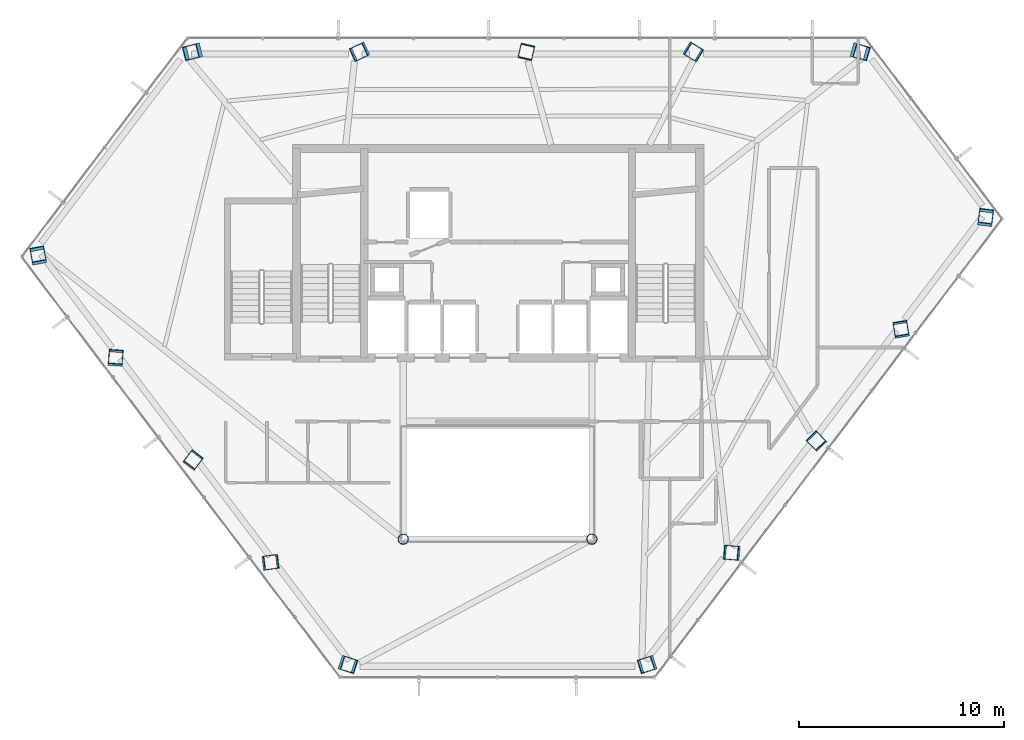
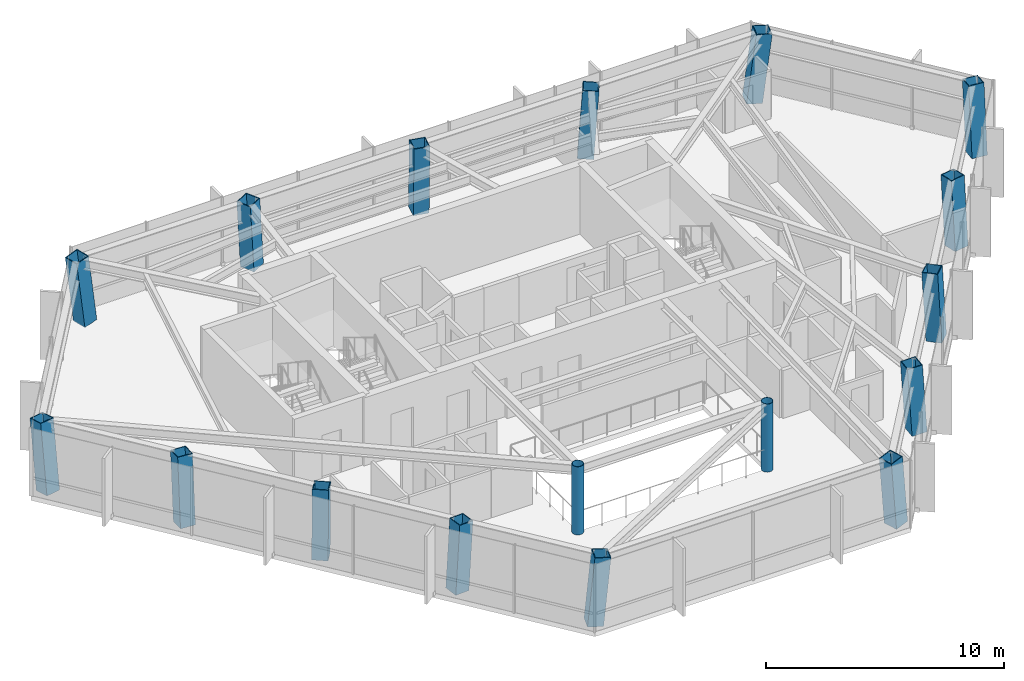
# One storey, part 1 of 27: 17 columns.
"""IFC4 building model written with IfcOpenShell, lengths in metres."""

from ifc_helpers import new_model, si_unit, direction, frame, origin, origin_2d, place, context, subcontext, project, spatial, hollow_rectangle, hollow_circle, extrude, material, material_profile, profile_set, type_object, element, save


model = new_model("IFC4")

# Units and contexts
model_context = context("Model", 3, precision=1e-05, world=origin(), true_north=direction((0.0, 1.0)))
body_context = subcontext(model_context, "Body", "Model", "MODEL_VIEW")
ifc_project = project(units=[si_unit("LENGTHUNIT", "METRE"), si_unit("AREAUNIT", "SQUARE_METRE"), si_unit("VOLUMEUNIT", "CUBIC_METRE"), si_unit("PLANEANGLEUNIT", "RADIAN"), si_unit("MASSUNIT", "GRAM", prefix="KILO")], contexts=[model_context])

# Site, building, storey
site_placement = place(None, origin())
site = spatial("IfcSite", under=ifc_project, at=site_placement, CompositionType="ELEMENT")
building_placement = place(site_placement, origin())
building = spatial("IfcBuilding", under=site, at=building_placement, Name="Zarrinselat Tower", CompositionType="ELEMENT")
storey_placement = place(building_placement, frame((0.0, 0.0, 172.0400390625)))
storey = spatial("IfcBuildingStorey", under=building, at=storey_placement, Name="L42", CompositionType="ELEMENT", Elevation=172.0400390625)

# Columns
ifc_material_1 = material(Name="Steel S355J2", Category="steel")
ifc_material_profile_1 = material_profile(ifc_material_1, hollow_circle(Radius=0.25390625, WallThickness=0.02001953125, at=origin_2d()), Name="CHS 508x20")
ifc_profile_set_1 = profile_set([ifc_material_profile_1], Name="Steel S355J2")
column_type_1 = type_object("IfcColumnType", Name="COL-CHS508", PredefinedType="COLUMN", material=ifc_profile_set_1)
for number, where, z_axis, x_axis, name in (
    (1, (33.800048828125, 24.39990234375, 0.0), (0.0, 0.0, 1.0), (1.0, 0.0, 0.0), "L42 Atrium Corner Column 1"),
    (2, (43.0, 24.39990234375, 0.0), (0.0, 0.0, 1.0), (1.0, 0.0, 0.0), "L42 Atrium Corner Column 2"),
):
    element("IfcColumn", number, at=place(storey_placement, frame(where, z_axis=z_axis, x_axis=x_axis)), inside=storey, type_object=column_type_1, Name=name, PredefinedType="COLUMN", context=body_context, shape_type="SweptSolid", body=[
        extrude(hollow_circle(Radius=0.25390625, WallThickness=0.02001953125, at=origin_2d()), origin(), (0.0, 0.0, 1.0), 3.5),
    ])
ifc_material_2 = material(Name="Steel S355J2", Category="steel")
ifc_material_profile_2 = material_profile(ifc_material_2, hollow_rectangle(XDim=0.699951171875, YDim=0.699951171875, WallThickness=0.034912109375, at=origin_2d()), Name="SHS 700x700x35")
ifc_profile_set_2 = profile_set([ifc_material_profile_2], Name="Steel S355J2")
column_type_2 = type_object("IfcColumnType", Name="COL-SHS700", PredefinedType="COLUMN", material=ifc_profile_set_2)
column_1_placement = place(storey_placement, frame((56.023681640625, 48.18896484375, 0.0), z_axis=(0.116873652995, -0.03309573823, 0.992595195106), x_axis=(0.272461864027, 0.962166582589, 0.0)))
element("IfcColumn", 3, at=column_1_placement, inside=storey, type_object=column_type_2, Name="L42 Framed-Tube Column T01", PredefinedType="COLUMN", context=body_context, shape_type="SweptSolid", body=[
    extrude(hollow_rectangle(XDim=0.699951171875, YDim=0.699951171875, WallThickness=0.034912109375, at=origin_2d()), origin(), (0.0, 0.0, 1.0), 3.526123046875),
])
column_2_placement = place(storey_placement, frame((47.91748046875, 48.18896484375, 0.0), z_axis=(0.05492268, -0.033273816274, 0.997936046234), x_axis=(0.51815756212, 0.855285180988, 0.0)))
element("IfcColumn", 4, at=column_2_placement, inside=storey, type_object=column_type_2, Name="L42 Framed-Tube Column T02", PredefinedType="COLUMN", context=body_context, shape_type="SweptSolid", body=[
    extrude(hollow_rectangle(XDim=0.699951171875, YDim=0.699951171875, WallThickness=0.034912109375, at=origin_2d()), origin(), (0.0, 0.0, 1.0), 3.50732421875),
])
column_3_placement = place(storey_placement, frame((39.81103515625, 48.18896484375, 0.0), z_axis=(-0.007598794357, -0.033323153235, 0.999415742213), x_axis=(0.974972310681, -0.222326321892, 0.0)))
element("IfcColumn", 5, at=column_3_placement, inside=storey, type_object=column_type_2, Name="L42 Framed-Tube Column T03", PredefinedType="COLUMN", context=body_context, shape_type="SweptSolid", body=[
    extrude(hollow_rectangle(XDim=0.699951171875, YDim=0.699951171875, WallThickness=0.034912109375, at=origin_2d()), origin(), (0.0, 0.0, 1.0), 3.501953125),
])
column_4_placement = place(storey_placement, frame((31.70458984375, 48.18896484375, 0.0), z_axis=(-0.070100570587, -0.033242135655, 0.996985892789), x_axis=(0.428471629337, -0.903555235087, 0.0)))
element("IfcColumn", 6, at=column_4_placement, inside=storey, type_object=column_type_2, Name="L42 Framed-Tube Column T04", PredefinedType="COLUMN", context=body_context, shape_type="SweptSolid", body=[
    extrude(hollow_rectangle(XDim=0.699951171875, YDim=0.699951171875, WallThickness=0.034912109375, at=origin_2d()), origin(), (0.0, 0.0, 1.0), 3.510498046875),
])
column_5_placement = place(storey_placement, frame((23.598388671875, 48.18896484375, 0.0), z_axis=(-0.131788296024, -0.033033458573, 0.990727326587), x_axis=(0.243133988911, -0.969992713084, 0.0)))
element("IfcColumn", 7, at=column_5_placement, inside=storey, type_object=column_type_2, Name="L42 Framed-Tube Column T05", PredefinedType="COLUMN", context=body_context, shape_type="SweptSolid", body=[
    extrude(hollow_rectangle(XDim=0.699951171875, YDim=0.699951171875, WallThickness=0.034912109375, at=origin_2d()), origin(), (0.0, 0.0, 1.0), 3.53271484375),
])
column_6_placement = place(storey_placement, frame((16.00927734375, 38.171142578125, 0.0), z_axis=(-0.020924597631, 0.113699552026, 0.993294806733), x_axis=(-0.983484083611, -0.180994633303, 0.0)))
element("IfcColumn", 8, at=column_6_placement, inside=storey, type_object=column_type_2, Name="L42 Framed-Tube Column T06", PredefinedType="COLUMN", context=body_context, shape_type="SweptSolid", body=[
    extrude(hollow_rectangle(XDim=0.699951171875, YDim=0.699951171875, WallThickness=0.034912109375, at=origin_2d()), origin(), (0.0, 0.0, 1.0), 3.523681640625),
])
column_7_placement = place(storey_placement, frame((19.772216796875, 33.2041015625, 0.0), z_axis=(0.005910692776, 0.078577445143, 0.996890489886), x_axis=(-0.997182832133, 0.075009328081, 0.0)))
element("IfcColumn", 9, at=column_7_placement, inside=storey, type_object=column_type_2, Name="L42 Framed-Tube Column T07", PredefinedType="COLUMN", context=body_context, shape_type="SweptSolid", body=[
    extrude(hollow_rectangle(XDim=0.699951171875, YDim=0.699951171875, WallThickness=0.034912109375, at=origin_2d()), origin(), (0.0, 0.0, 1.0), 3.510986328125),
])
column_8_placement = place(storey_placement, frame((23.534912109375, 28.2373046875, 0.0), z_axis=(0.032875678512, 0.043114502116, 0.998529082936), x_axis=(-0.79519574203, 0.60635281137, 0.0)))
element("IfcColumn", 10, at=column_8_placement, inside=storey, type_object=column_type_2, Name="L42 Framed-Tube Column T08", PredefinedType="COLUMN", context=body_context, shape_type="SweptSolid", body=[
    extrude(hollow_rectangle(XDim=0.699951171875, YDim=0.699951171875, WallThickness=0.034912109375, at=origin_2d()), origin(), (0.0, 0.0, 1.0), 3.505126953125),
])
column_9_placement = place(storey_placement, frame((27.2978515625, 23.270263671875, 0.0), z_axis=(0.059740708438, 0.007589437319, 0.998185077126), x_axis=(-0.126026720688, 0.992026847254, 0.0)))
element("IfcColumn", 11, at=column_9_placement, inside=storey, type_object=column_type_2, Name="L42 Framed-Tube Column T09", PredefinedType="COLUMN", context=body_context, shape_type="SweptSolid", body=[
    extrude(hollow_rectangle(XDim=0.699951171875, YDim=0.699951171875, WallThickness=0.034912109375, at=origin_2d()), origin(), (0.0, 0.0, 1.0), 3.50634765625),
])
for number, where, z_axis, x_axis, name in (
    (12, (31.060546875, 18.30322265625, 0.0), (0.086485088374, -0.027855839709, 0.995863636088), (0.306578328272, 0.951845433163, 0.0), "L42 Framed-Tube Column T10"),
    (13, (45.739501953125, 18.30322265625, 0.0), (-0.086554034105, -0.027855672292, 0.995857650822), (0.306355379337, -0.951917213602, 0.0), "L42 Framed-Tube Column T11"),
):
    element("IfcColumn", number, at=place(storey_placement, frame(where, z_axis=z_axis, x_axis=x_axis)), inside=storey, type_object=column_type_2, Name=name, PredefinedType="COLUMN", context=body_context, shape_type="SweptSolid", body=[
        extrude(hollow_rectangle(XDim=0.699951171875, YDim=0.699951171875, WallThickness=0.034912109375, at=origin_2d()), origin(), (0.0, 0.0, 1.0), 3.5146484375),
    ])
column_10_placement = place(storey_placement, frame((49.85498046875, 23.73583984375, 0.0), z_axis=(-0.061614610876, 0.005082335134, 0.998087075157), x_axis=(-0.082206685953, -0.996615302303, 0.0)))
element("IfcColumn", 14, at=column_10_placement, inside=storey, type_object=column_type_2, Name="L42 Framed-Tube Column T12", PredefinedType="COLUMN", context=body_context, shape_type="SweptSolid", body=[
    extrude(hollow_rectangle(XDim=0.699951171875, YDim=0.699951171875, WallThickness=0.034912109375, at=origin_2d()), origin(), (0.0, 0.0, 1.0), 3.506591796875),
])
column_11_placement = place(storey_placement, frame((53.970703125, 29.16845703125, 0.0), z_axis=(-0.036709016381, 0.03817180451, 0.998596696097), x_axis=(-0.72078251354, -0.693161285831, 0.0)))
element("IfcColumn", 15, at=column_11_placement, inside=storey, type_object=column_type_2, Name="L42 Framed-Tube Column T13", PredefinedType="COLUMN", context=body_context, shape_type="SweptSolid", body=[
    extrude(hollow_rectangle(XDim=0.699951171875, YDim=0.699951171875, WallThickness=0.034912109375, at=origin_2d()), origin(), (0.0, 0.0, 1.0), 3.5048828125),
])
column_12_placement = place(storey_placement, frame((58.086181640625, 34.60107421875, 0.0), z_axis=(-0.011618722717, 0.071103800099, 0.997401250698), x_axis=(-0.986910933571, -0.16126626801, 0.0)))
element("IfcColumn", 16, at=column_12_placement, inside=storey, type_object=column_type_2, Name="L42 Framed-Tube Column T14", PredefinedType="COLUMN", context=body_context, shape_type="SweptSolid", body=[
    extrude(hollow_rectangle(XDim=0.699951171875, YDim=0.699951171875, WallThickness=0.034912109375, at=origin_2d()), origin(), (0.0, 0.0, 1.0), 3.509033203125),
])
column_13_placement = place(storey_placement, frame((62.201904296875, 40.03369140625, 0.0), z_axis=(0.013319345089, 0.103779897152, 0.994511099985), x_axis=(-0.99186450143, 0.127298117831, 0.0)))
element("IfcColumn", 17, at=column_13_placement, inside=storey, type_object=column_type_2, Name="L42 Framed-Tube Column T15", PredefinedType="COLUMN", context=body_context, shape_type="SweptSolid", body=[
    extrude(hollow_rectangle(XDim=0.699951171875, YDim=0.699951171875, WallThickness=0.034912109375, at=origin_2d()), origin(), (0.0, 0.0, 1.0), 3.519287109375),
])

save(model, "model.ifc")
